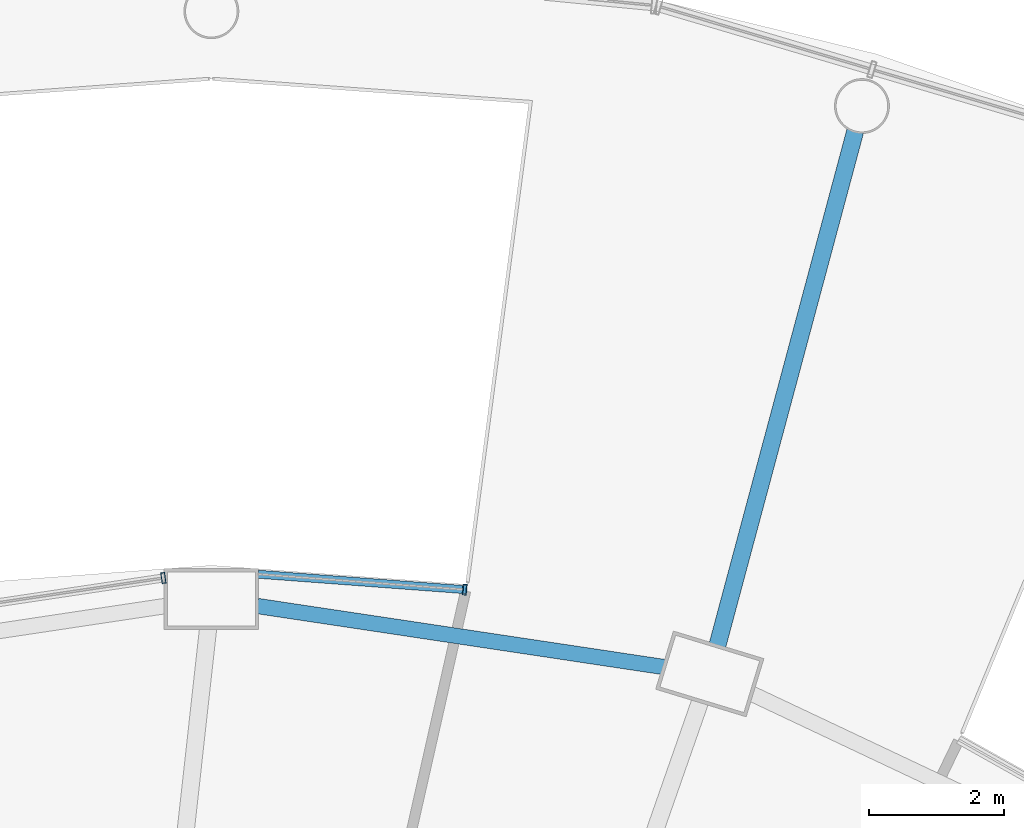
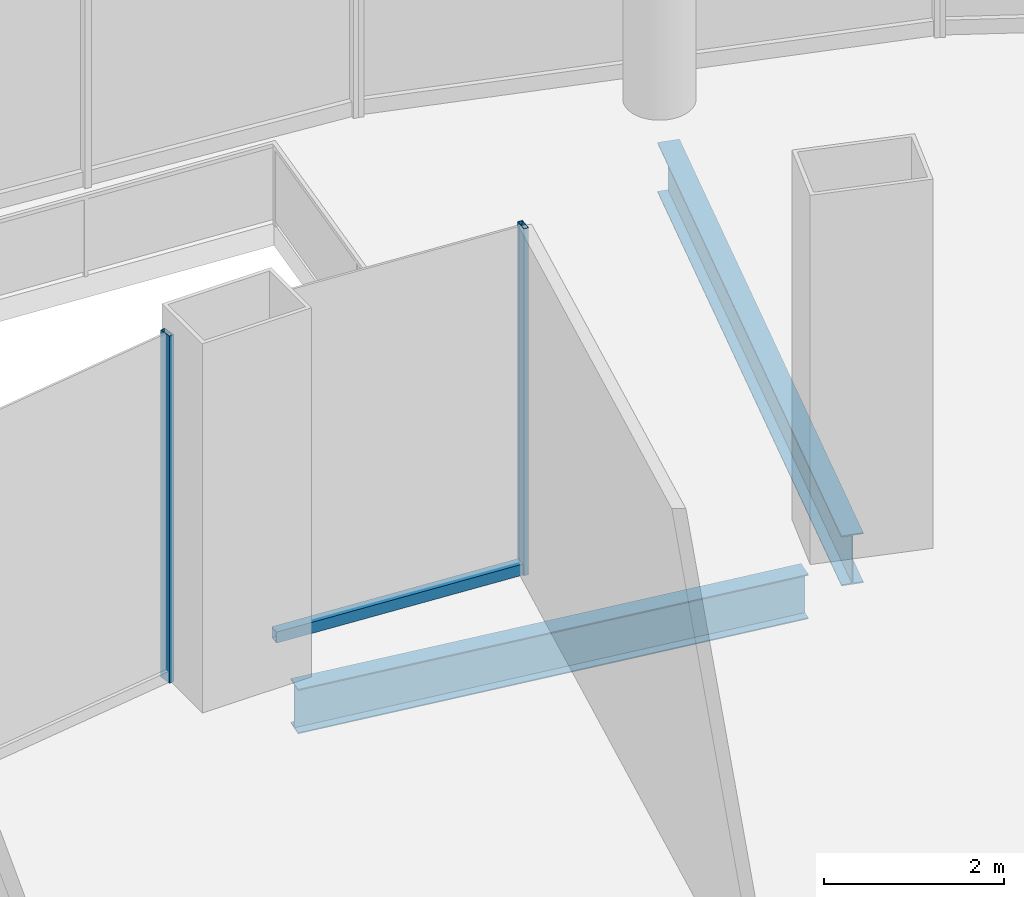
# One storey, part 34 of 48: 3 members, 2 beams, 2 elements without a shape of their own.
"""IFC4 building model written with IfcOpenShell, lengths in metres."""

from ifc_helpers import new_model, si_unit, direction, frame, origin, origin_2d, place, context, subcontext, project, spatial, hollow_rectangle, i_section, extrude, material, layer, layer_set, material_profile, profile_set, type_object, element, aggregate, save


model = new_model("IFC4")

# Units and contexts
model_context = context("Model", 3, precision=1e-05, world=origin(), true_north=direction((0.0, 1.0)))
body_context = subcontext(model_context, "Body", "Model", "MODEL_VIEW")
ifc_project = project(units=[si_unit("LENGTHUNIT", "METRE"), si_unit("AREAUNIT", "SQUARE_METRE"), si_unit("VOLUMEUNIT", "CUBIC_METRE"), si_unit("PLANEANGLEUNIT", "RADIAN"), si_unit("MASSUNIT", "GRAM", prefix="KILO")], contexts=[model_context])

# Site, building, storey
site_placement = place(None, origin())
site = spatial("IfcSite", under=ifc_project, at=site_placement, CompositionType="ELEMENT")
building_placement = place(site_placement, origin())
building = spatial("IfcBuilding", under=site, at=building_placement, Name="Nagisa Residences", CompositionType="ELEMENT")
storey_placement = place(building_placement, frame((0.0, 0.0, 12.0)))
storey = spatial("IfcBuildingStorey", under=building, at=storey_placement, Name="L02", CompositionType="ELEMENT", Elevation=12.0)

# Beam
ifc_material_1 = material(Name="Steel ASTM A572 Gr 50", Category="steel")
ifc_material_profile_1 = material_profile(ifc_material_1, i_section(OverallWidth=0.2529296875, OverallDepth=0.677978515625, WebThickness=0.01171875, FlangeThickness=0.016357421875, at=origin_2d()), Name="W690x125")
ifc_profile_set_1 = profile_set([ifc_material_profile_1], Name="Steel ASTM A572 Gr 50")
beam_type_1 = type_object("IfcBeamType", Name="Atrium bridge beam W690x125", PredefinedType="BEAM", material=ifc_profile_set_1)
beam_1_placement = place(storey_placement, frame((11.087646484375, 31.80810546875, -0.638916015625), z_axis=(0.258809356376, 0.965928422324, 0.0), x_axis=(-0.965928422324, 0.258809356376, 0.0)))
element("IfcBeam", 1, at=beam_1_placement, inside=storey, type_object=beam_type_1, Name="beam:L02:br06", PredefinedType="BEAM", context=body_context, shape_type="SweptSolid", body=[
    extrude(i_section(OverallWidth=0.2529296875, OverallDepth=0.677978515625, WebThickness=0.01171875, FlangeThickness=0.016357421875, at=origin_2d()), origin(), (0.0, 0.0, 1.0), 7.88330078125),
])

# Curtain wall, member
ifc_material_2 = material(Name="Stainless steel curtain wall system", Category="steel")
ifc_layer = layer(ifc_material_2, 0.159912109375)
ifc_layer_set = layer_set([ifc_layer], Name="CW6 CURTAIN WALL")
curtain_wall_type = type_object("IfcCurtainWallType", Name="CW6 CURTAIN WALL", PredefinedType="NOTDEFINED", material=ifc_layer_set)
curtain_wall_1_placement = place(storey_placement, origin())
curtain_wall_1 = element("IfcCurtainWall", 2, at=curtain_wall_1_placement, inside=storey, type_object=curtain_wall_type, Name="cw:CW6:L02:11", PredefinedType="NOTDEFINED")
ifc_material_3 = material(Name="Stainless steel", Category="steel")
ifc_material_profile_2 = material_profile(ifc_material_3, hollow_rectangle(XDim=0.159912109375, YDim=0.06005859375, WallThickness=0.006103515625, at=origin_2d()), Name="CW6 MULLION 160x60")
ifc_profile_set_2 = profile_set([ifc_material_profile_2], Name="Stainless steel")
member_type_1 = type_object("IfcMemberType", Name="CW6 MULLION 160x60", PredefinedType="MULLION", material=ifc_profile_set_2)
member_1_placement = place(storey_placement, frame((7.349365234375, 32.64013671875, 0.0), z_axis=(0.0, 0.0, 1.0), x_axis=(-0.074377355493, -0.997230168512, 0.0)))
member_1 = element("IfcMember", 3, at=member_1_placement, type_object=member_type_1, Name="CW6 mullion", PredefinedType="MULLION", context=body_context, shape_type="SweptSolid", body=[
    extrude(hollow_rectangle(XDim=0.159912109375, YDim=0.06005859375, WallThickness=0.006103515625, at=origin_2d()), origin(), (0.0, 0.0, 1.0), 4.699951171875),
])

curtain_wall_2_placement = place(storey_placement, origin())
curtain_wall_2 = element("IfcCurtainWall", 4, at=curtain_wall_2_placement, inside=storey, type_object=curtain_wall_type, Name="cw:CW6:L02:12", PredefinedType="NOTDEFINED")
member_2_placement = place(storey_placement, frame((2.889892578125, 32.812744140625, 0.0), z_axis=(0.0, 0.0, 1.0), x_axis=(0.148158096894, -0.988963689083, 0.0)))
member_2 = element("IfcMember", 5, at=member_2_placement, type_object=member_type_1, Name="CW6 mullion", PredefinedType="MULLION", context=body_context, shape_type="SweptSolid", body=[
    extrude(hollow_rectangle(XDim=0.159912109375, YDim=0.06005859375, WallThickness=0.006103515625, at=origin_2d()), origin(), (0.0, 0.0, 1.0), 4.699951171875),
])
aggregate(curtain_wall_2, [member_2])

# Member
ifc_material_4 = material(Name="Stainless steel", Category="steel")
ifc_material_profile_3 = material_profile(ifc_material_4, hollow_rectangle(XDim=0.1201171875, YDim=0.14990234375, WallThickness=0.008056640625, at=origin_2d()), Name="CW6 TRANSOM 120x150")
ifc_profile_set_3 = profile_set([ifc_material_profile_3], Name="Stainless steel")
member_type_2 = type_object("IfcMemberType", Name="CW6 TRANSOM 120x150", PredefinedType="USERDEFINED", material=ifc_profile_set_3)
member_3_placement = place(storey_placement, frame((7.37939453125, 32.637939453125, 0.074951171875), z_axis=(-0.997231270995, 0.07436257224, 0.0), x_axis=(-0.07436257224, -0.997231270995, 0.0)))
member_3 = element("IfcMember", 6, at=member_3_placement, type_object=member_type_2, Name="CW6 transom", ObjectType="TRANSOM", PredefinedType="USERDEFINED", context=body_context, shape_type="SweptSolid", body=[
    extrude(hollow_rectangle(XDim=0.1201171875, YDim=0.14990234375, WallThickness=0.008056640625, at=origin_2d()), origin(), (0.0, 0.0, 1.0), 3.095947265625),
])

aggregate(curtain_wall_1, [member_1, member_3])

# Beam
ifc_material_5 = material(Name="Steel ASTM A572 Gr 50", Category="steel")
ifc_material_profile_4 = material_profile(ifc_material_5, i_section(OverallWidth=0.22802734375, OverallDepth=0.60302734375, WebThickness=0.010498046875, FlangeThickness=0.014892578125, at=origin_2d()), Name="W610x101")
ifc_profile_set_4 = profile_set([ifc_material_profile_4], Name="Steel ASTM A572 Gr 50")
beam_type_2 = type_object("IfcBeamType", Name="Perimeter ring beam W610x101", PredefinedType="BEAM", material=ifc_profile_set_4)
beam_2_placement = place(storey_placement, frame((10.29638671875, 31.49462890625, -0.6015625), z_axis=(-0.988914559467, 0.14848566959, 0.0), x_axis=(-0.14848566959, -0.988914559467, 0.0)))
element("IfcBeam", 7, at=beam_2_placement, inside=storey, type_object=beam_type_2, Name="beam:L02:pb06", PredefinedType="BEAM", context=body_context, shape_type="SweptSolid", body=[
    extrude(i_section(OverallWidth=0.22802734375, OverallDepth=0.60302734375, WebThickness=0.010498046875, FlangeThickness=0.014892578125, at=origin_2d()), origin(), (0.0, 0.0, 1.0), 6.08349609375),
])

save(model, "model.ifc")
